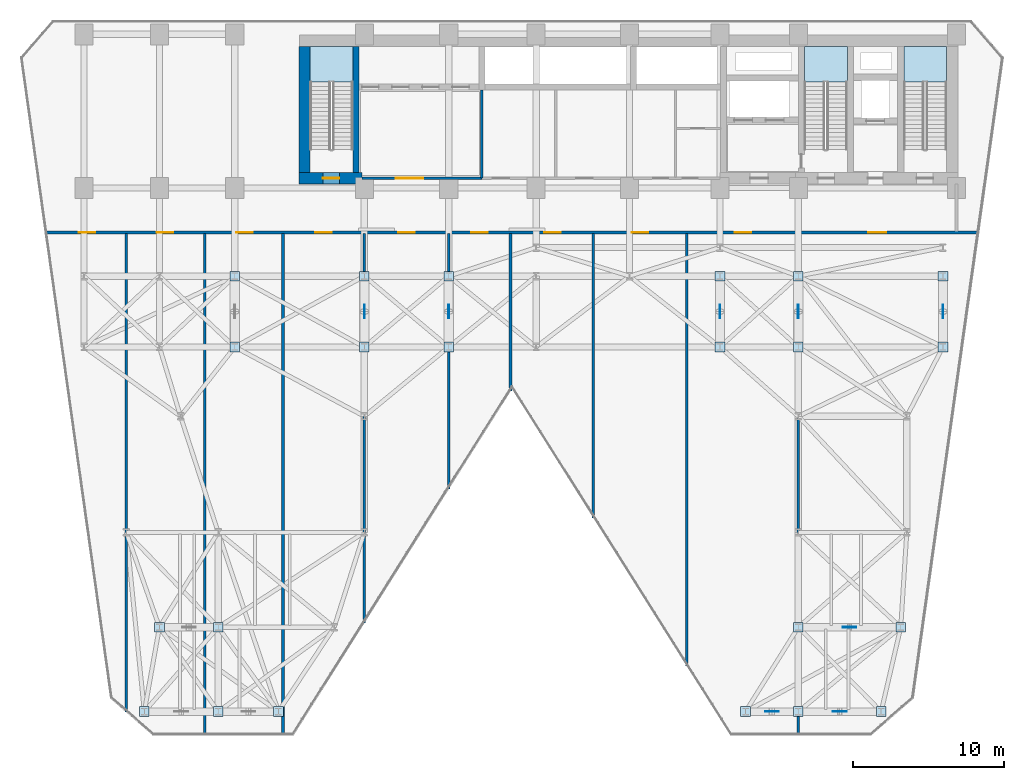
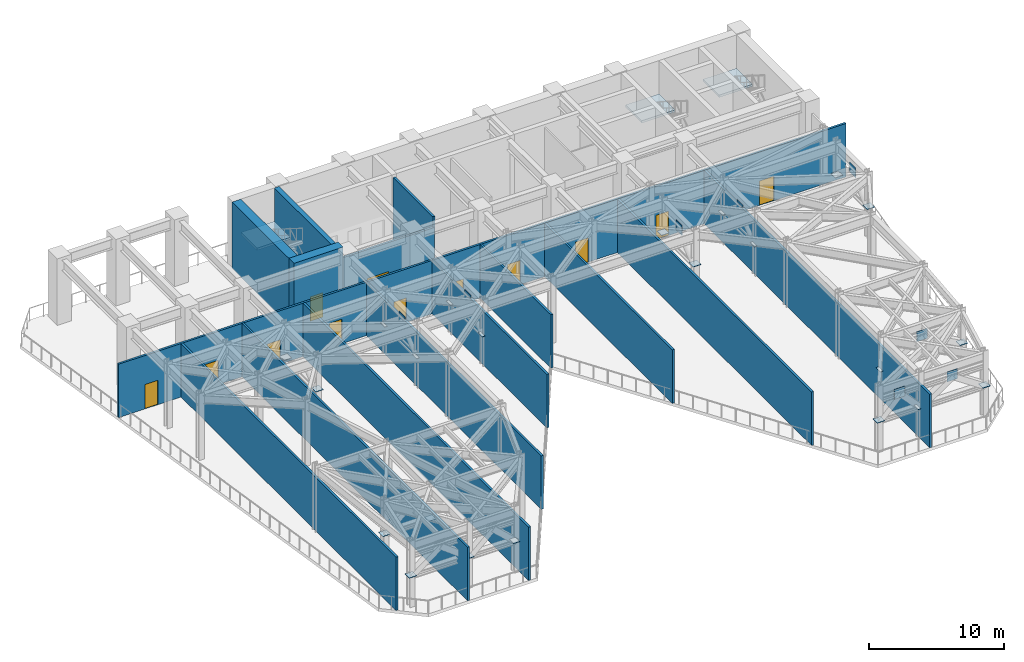
# One storey, part 6 of 12: 30 plates, 15 walls, 12 doors, 3 slabs, 12 openings, 3 elements without a shape of their own.
"""IFC4 building model written with IfcOpenShell, lengths in metres."""

from ifc_helpers import new_model, si_unit, direction, frame, frame_2d, origin, origin_2d, place, context, subcontext, project, spatial, polyline, rectangle, outline, extrude, material, layer, layer_set, type_object, element, fill, aggregate, save


model = new_model("IFC4")

# Units and contexts
model_context = context("Model", 3, precision=1e-05, world=origin(), true_north=direction((0.0, 1.0)))
body_context = subcontext(model_context, "Body", "Model", "MODEL_VIEW")
ifc_project = project(units=[si_unit("LENGTHUNIT", "METRE"), si_unit("AREAUNIT", "SQUARE_METRE"), si_unit("VOLUMEUNIT", "CUBIC_METRE"), si_unit("PLANEANGLEUNIT", "RADIAN"), si_unit("MASSUNIT", "GRAM", prefix="KILO")], contexts=[model_context])

# Site, building, storey
site_placement = place(None, origin())
site = spatial("IfcSite", under=ifc_project, at=site_placement, CompositionType="ELEMENT")
building_placement = place(site_placement, origin())
building = spatial("IfcBuilding", under=site, at=building_placement, Name="Kravanh Interchange Tower", CompositionType="ELEMENT")
storey_placement = place(building_placement, frame((0.0, 0.0, 85.5)))
storey = spatial("IfcBuildingStorey", under=building, at=storey_placement, Name="L20", CompositionType="ELEMENT", Elevation=85.5)

# Stair, slab
ifc_material_1 = material(Name="Concrete C50/60", Category="concrete")
stair_type = type_object("IfcStairType", Name="Core Fire Exit Dogleg Stair Concrete C50/60", PredefinedType="HALF_TURN_STAIR", material=ifc_material_1)
stair_1_placement = place(storey_placement, origin())
stair_1 = element("IfcStair", 1, at=stair_1_placement, inside=storey, type_object=stair_type, Name="L20 Exit Stair ST1", PredefinedType="HALF_TURN_STAIR")
ifc_material_2 = material(Name="Concrete C50/60", Category="concrete")
ifc_layer_1 = layer(ifc_material_2, 0.199951171875)
ifc_layer_set_1 = layer_set([ifc_layer_1], Name="Concrete C50/60 Stair Half-Landing Slab 200mm")
slab_type = type_object("IfcSlabType", Name="Concrete C50/60 Stair Half-Landing Slab 200mm", PredefinedType="LANDING", material=ifc_layer_set_1)
slab_1_placement = place(storey_placement, frame((0.0, 0.0, 2.800048828125)))
slab_1 = element("IfcSlab", 2, at=slab_1_placement, type_object=slab_type, Name="ST1 landing 1", PredefinedType="LANDING", context=body_context, shape_type="SweptSolid", body=[
    extrude(outline(polyline([(65.85009765625, 44.3798828125), (65.85009765625, 46.75), (63.0, 46.75), (63.0, 44.3798828125), (65.85009765625, 44.3798828125)])), origin(), (0.0, 0.0, 1.0), 0.199951171875),
])
aggregate(stair_1, [slab_1])

stair_2_placement = place(storey_placement, origin())
stair_2 = element("IfcStair", 3, at=stair_2_placement, inside=storey, type_object=stair_type, Name="L20 Exit Stair ST2", PredefinedType="HALF_TURN_STAIR")
slab_2_placement = place(storey_placement, frame((0.0, 0.0, 2.800048828125)))
slab_2 = element("IfcSlab", 4, at=slab_2_placement, type_object=slab_type, Name="ST2 landing 1", PredefinedType="LANDING", context=body_context, shape_type="SweptSolid", body=[
    extrude(outline(polyline([(59.25, 44.3798828125), (59.25, 46.75), (56.39990234375, 46.75), (56.39990234375, 44.3798828125), (59.25, 44.3798828125)])), origin(), (0.0, 0.0, 1.0), 0.199951171875),
])
aggregate(stair_2, [slab_2])

stair_3_placement = place(storey_placement, origin())
stair_3 = element("IfcStair", 5, at=stair_3_placement, inside=storey, type_object=stair_type, Name="L20 Exit Stair ST3", PredefinedType="HALF_TURN_STAIR")
slab_3_placement = place(storey_placement, frame((0.0, 0.0, 2.800048828125)))
slab_3 = element("IfcSlab", 6, at=slab_3_placement, type_object=slab_type, Name="ST3 landing 1", PredefinedType="LANDING", context=body_context, shape_type="SweptSolid", body=[
    extrude(outline(polyline([(26.449951171875, 44.3798828125), (26.449951171875, 46.75), (23.60009765625, 46.75), (23.60009765625, 44.3798828125), (26.449951171875, 44.3798828125)])), origin(), (0.0, 0.0, 1.0), 0.199951171875),
])
aggregate(stair_3, [slab_3])

# Plates
ifc_material_3 = material(Name="Structural Steel S450", Category="steel")
ifc_layer_2 = layer(ifc_material_3, 0.031982421875)
ifc_layer_set_2 = layer_set([ifc_layer_2], Name="Flange Continuity Node Plate 650x650x32 S450")
plate_type_1 = type_object("IfcPlateType", Name="Flange Continuity Node Plate 650x650x32 S450", PredefinedType="SHEET", material=ifc_layer_set_2)
for number, where, z_axis, x_axis, name in (
    (7, (18.60009765625, 31.5, 2.73388671875), (0.0, 0.0, 1.0), (1.0, 0.0, 0.0), "L20 Outrigger Node Flange Plate 1A"),
    (8, (18.60009765625, 26.800048828125, 2.73388671875), (0.0, 0.0, 1.0), (1.0, 0.0, 0.0), "L20 Outrigger Node Flange Plate 1B"),
    (9, (27.199951171875, 31.5, 2.73388671875), (0.0, 0.0, 1.0), (1.0, 0.0, 0.0), "L20 Outrigger Node Flange Plate 2A"),
    (10, (27.199951171875, 26.800048828125, 2.73388671875), (0.0, 0.0, 1.0), (1.0, 0.0, 0.0), "L20 Outrigger Node Flange Plate 2B"),
    (11, (32.800048828125, 31.5, 2.73388671875), (0.0, 0.0, 1.0), (1.0, 0.0, 0.0), "L20 Outrigger Node Flange Plate 3A"),
    (12, (32.800048828125, 26.800048828125, 2.73388671875), (0.0, 0.0, 1.0), (1.0, 0.0, 0.0), "L20 Outrigger Node Flange Plate 3B"),
    (13, (50.800048828125, 31.5, 2.73388671875), (0.0, 0.0, 1.0), (1.0, 0.0, 0.0), "L20 Outrigger Node Flange Plate 4A"),
    (14, (50.800048828125, 26.800048828125, 2.73388671875), (0.0, 0.0, 1.0), (1.0, 0.0, 0.0), "L20 Outrigger Node Flange Plate 4B"),
    (15, (56.0, 31.5, 2.73388671875), (0.0, 0.0, 1.0), (1.0, 0.0, 0.0), "L20 Outrigger Node Flange Plate 5A"),
    (16, (56.0, 26.800048828125, 2.73388671875), (0.0, 0.0, 1.0), (1.0, 0.0, 0.0), "L20 Outrigger Node Flange Plate 5B"),
    (17, (65.60009765625, 31.5, 2.73388671875), (0.0, 0.0, 1.0), (1.0, 0.0, 0.0), "L20 Outrigger Node Flange Plate 6A"),
    (18, (65.60009765625, 26.800048828125, 2.73388671875), (0.0, 0.0, 1.0), (1.0, 0.0, 0.0), "L20 Outrigger Node Flange Plate 6B"),
    (19, (12.60009765625, 2.60009765625, 2.73388671875), (0.0, 0.0, 1.0), (1.0, 0.0, 0.0), "L20 Belt Truss Node Flange Plate 1A"),
    (20, (17.5, 2.60009765625, 2.73388671875), (0.0, 0.0, 1.0), (1.0, 0.0, 0.0), "L20 Belt Truss Node Flange Plate 1B"),
    (21, (21.5, 2.60009765625, 2.73388671875), (0.0, 0.0, 1.0), (1.0, 0.0, 0.0), "L20 Belt Truss Node Flange Plate 2B"),
    (22, (52.5, 2.60009765625, 2.73388671875), (0.0, 0.0, 1.0), (1.0, 0.0, 0.0), "L20 Belt Truss Node Flange Plate 3A"),
    (23, (56.0, 2.60009765625, 2.73388671875), (0.0, 0.0, 1.0), (1.0, 0.0, 0.0), "L20 Belt Truss Node Flange Plate 3B"),
    (24, (61.5, 2.60009765625, 2.73388671875), (0.0, 0.0, 1.0), (1.0, 0.0, 0.0), "L20 Belt Truss Node Flange Plate 4B"),
    (25, (13.60009765625, 8.199951171875, 2.73388671875), (0.0, 0.0, 1.0), (1.0, 0.0, 0.0), "L20 Belt Truss Node Flange Plate 5A"),
    (26, (17.5, 8.199951171875, 2.73388671875), (0.0, 0.0, 1.0), (1.0, 0.0, 0.0), "L20 Belt Truss Node Flange Plate 5B"),
    (27, (56.0, 8.199951171875, 2.73388671875), (0.0, 0.0, 1.0), (1.0, 0.0, 0.0), "L20 Belt Truss Node Flange Plate 6A"),
    (28, (62.800048828125, 8.199951171875, 2.73388671875), (0.0, 0.0, 1.0), (1.0, 0.0, 0.0), "L20 Belt Truss Node Flange Plate 6B"),
):
    element("IfcPlate", number, at=place(storey_placement, frame(where, z_axis=z_axis, x_axis=x_axis)), inside=storey, type_object=plate_type_1, Name=name, PredefinedType="SHEET", context=body_context, shape_type="SweptSolid", body=[
        extrude(rectangle(XDim=0.64990234375, YDim=0.64990234375, at=origin_2d()), origin(), (0.0, 0.0, 1.0), 0.031982421875),
    ])
ifc_material_4 = material(Name="Structural Steel S450", Category="steel")
ifc_layer_3 = layer(ifc_material_4, 0.0400390625)
ifc_layer_set_3 = layer_set([ifc_layer_3], Name="Outrigger Gusset Plate Structural Steel S450 40mm")
plate_type_2 = type_object("IfcPlateType", Name="Outrigger Gusset Plate Structural Steel S450 40mm", PredefinedType="USERDEFINED", material=ifc_layer_set_3)
for number, where, z_axis, x_axis, name in (
    (29, (27.199951171875, 29.14990234375, 4.14794921875), (0.0, 0.0, 1.0), (0.0, -1.0, 0.0), "L20 Outrigger Node Gusset Plate 2"),
    (30, (32.800048828125, 29.14990234375, 4.14794921875), (0.0, 0.0, 1.0), (0.0, -1.0, 0.0), "L20 Outrigger Node Gusset Plate 3"),
    (31, (50.800048828125, 29.14990234375, 4.14794921875), (0.0, 0.0, 1.0), (0.0, -1.0, 0.0), "L20 Outrigger Node Gusset Plate 4"),
    (32, (56.0, 29.14990234375, 4.14794921875), (0.0, 0.0, 1.0), (0.0, -1.0, 0.0), "L20 Outrigger Node Gusset Plate 5"),
    (33, (65.60009765625, 29.14990234375, 4.14794921875), (0.0, 0.0, 1.0), (0.0, -1.0, 0.0), "L20 Outrigger Node Gusset Plate 6"),
    (34, (54.25, 2.60009765625, 4.14794921875), (0.0, 0.0, 1.0), (1.0, 0.0, 0.0), "L20 Belt Truss Node Gusset Plate 3"),
    (35, (58.75, 2.60009765625, 4.14794921875), (0.0, 0.0, 1.0), (1.0, 0.0, 0.0), "L20 Belt Truss Node Gusset Plate 4"),
    (36, (59.39990234375, 8.199951171875, 4.14794921875), (0.0, 0.0, 1.0), (1.0, 0.0, 0.0), "L20 Belt Truss Node Gusset Plate 6"),
):
    element("IfcPlate", number, at=place(storey_placement, frame(where, z_axis=z_axis, x_axis=x_axis)), inside=storey, type_object=plate_type_2, Name=name, ObjectType="GUSSET PLATE", PredefinedType="USERDEFINED", context=body_context, shape_type="SweptSolid", body=[
        extrude(rectangle(XDim=0.89990234375, YDim=0.0400390625, at=origin_2d()), origin(), (0.0, 0.0, 1.0), 0.89990234375),
    ])

# Wall
ifc_material_5 = material(Name="Concrete C80/95", Category="concrete")
ifc_layer_4 = layer(ifc_material_5, 0.39990234375)
ifc_layer_set_4 = layer_set([ifc_layer_4], Name="Core Shear Wall Concrete C80/95 400mm")
wall_type_1 = type_object("IfcWallType", Name="Core Shear Wall Concrete C80/95 400mm", PredefinedType="SHEAR", material=ifc_layer_set_4)
wall_1_placement = place(storey_placement, frame((26.64990234375, 38.375, 0.0), z_axis=(0.0, 0.0, 1.0), x_axis=(0.0, 1.0, 0.0)))
element("IfcWall", 37, at=wall_1_placement, inside=storey, type_object=wall_type_1, Name="L20 Stair ST3 East Shear Wall", PredefinedType="SHEAR", context=body_context, shape_type="SweptSolid", body=[
    extrude(rectangle(XDim=8.375, YDim=0.39990234375, at=frame_2d((4.1875, 0.0))), origin(), (0.0, 0.0, 1.0), 6.0),
])

# Wall, opening, door
ifc_material_6 = material(Name="Concrete C80/95", Category="concrete")
ifc_layer_5 = layer(ifc_material_6, 0.75)
ifc_layer_set_5 = layer_set([ifc_layer_5], Name="Core Shear Wall Concrete C80/95 750mm")
wall_type_2 = type_object("IfcWallType", Name="Core Shear Wall Concrete C80/95 750mm", PredefinedType="SHEAR", material=ifc_layer_set_5)
wall_2_placement = place(storey_placement, frame((22.85009765625, 38.0, 0.0), z_axis=(0.0, 0.0, 1.0), x_axis=(1.0, 0.0, 0.0)))
wall_2 = element("IfcWall", 38, at=wall_2_placement, inside=storey, type_object=wall_type_2, Name="L20 Stair ST3 South Shear Wall", PredefinedType="SHEAR", context=body_context, shape_type="SweptSolid", body=[
    extrude(rectangle(XDim=4.199951171875, YDim=0.75, at=frame_2d((2.10009765625, 0.0))), origin(), (0.0, 0.0, 1.0), 6.0),
])
opening_1_placement = place(wall_2_placement, frame((1.60009765625, 0.0, 0.0)))
opening_1 = element("IfcOpeningElement", 39, at=opening_1_placement, cuts=wall_2, Name="Opening D-STAIR-110", PredefinedType="OPENING", context=body_context, shape_type="SweptSolid", body=[
    extrude(rectangle(XDim=1.10009765625, YDim=2.199951171875, at=frame_2d((0.550048828125, 1.10009765625))), frame((0.0, 0.385009765625, 0.0), z_axis=(0.0, -1.0, 0.0), x_axis=(1.0, 0.0, 0.0)), (0.0, 0.0, 1.0), 0.77001953125),
])
ifc_material_7 = material(Name="Structural Steel S355", Category="steel")
door_type_1 = type_object("IfcDoorType", Name="Fire-Rated Exit Stair Door 1100x2200", OperationType="NOTDEFINED", PredefinedType="DOOR", material=ifc_material_7)
door_1_placement = place(opening_1_placement, origin())
door_1 = element("IfcDoor", 40, at=door_1_placement, inside=storey, type_object=door_type_1, Name="L20 Exit Stair ST3 Door", OperationType="SINGLE_SWING_RIGHT", OverallHeight=2.199951171875, OverallWidth=1.10009765625, PredefinedType="DOOR", context=body_context, shape_type="SweptSolid", body=[
    extrude(rectangle(XDim=1.10009765625, YDim=2.199951171875, at=frame_2d((0.550048828125, 1.10009765625))), frame((0.0, 0.02490234375, 0.0), z_axis=(0.0, -1.0, 0.0), x_axis=(1.0, 0.0, 0.0)), (0.0, 0.0, 1.0), 0.050048828125),
])
fill(opening_1, door_1)

# Walls
wall_3_placement = place(storey_placement, frame((23.22509765625, 38.375, 0.0), z_axis=(0.0, 0.0, 1.0), x_axis=(0.0, 1.0, 0.0)))
element("IfcWall", 41, at=wall_3_placement, inside=storey, type_object=wall_type_2, Name="L20 Stair ST3 West Shear Wall", PredefinedType="SHEAR", context=body_context, shape_type="SweptSolid", body=[
    extrude(rectangle(XDim=8.375, YDim=0.75, at=frame_2d((4.1875, 0.0))), origin(), (0.0, 0.0, 1.0), 6.0),
])
ifc_material_8 = material(Name="Autoclaved Aerated Concrete C30/37 Blockwork", Category="masonry")
ifc_layer_6 = layer(ifc_material_8, 0.179931640625)
ifc_layer_set_6 = layer_set([ifc_layer_6], Name="Fire-Rated Lobby and Corridor Wall Concrete C30/37 180mm")
wall_type_3 = type_object("IfcWallType", Name="Fire-Rated Lobby and Corridor Wall Concrete C30/37 180mm", PredefinedType="STANDARD", material=ifc_layer_set_6)
wall_4_placement = place(storey_placement, frame((35.0, 38.0, 0.0), z_axis=(0.0, 0.0, 1.0), x_axis=(0.0, 1.0, 0.0)))
element("IfcWall", 42, at=wall_4_placement, inside=storey, type_object=wall_type_3, Name="L20 Low-Rise Lobby East Wall 4", PredefinedType="STANDARD", context=body_context, shape_type="SweptSolid", body=[
    extrude(rectangle(XDim=5.85009765625, YDim=0.179931640625, at=frame_2d((2.925048828125, 0.0))), origin(), (0.0, 0.0, 1.0), 5.7451171875),
])

# Wall, opening, door
wall_5_placement = place(storey_placement, frame((27.050048828125, 38.0, 0.0), z_axis=(0.0, 0.0, 1.0), x_axis=(1.0, 0.0, 0.0)))
wall_5 = element("IfcWall", 43, at=wall_5_placement, inside=storey, type_object=wall_type_3, Name="L20 Low-Rise Lobby South Wall 5", PredefinedType="STANDARD", context=body_context, shape_type="SweptSolid", body=[
    extrude(rectangle(XDim=7.949951171875, YDim=0.179931640625, at=frame_2d((3.97509765625, 0.0))), origin(), (0.0, 0.0, 1.0), 4.818115234375),
])
opening_2_placement = place(wall_5_placement, frame((2.25, 0.0, 0.0)))
opening_2 = element("IfcOpeningElement", 44, at=opening_2_placement, cuts=wall_5, Name="Opening DBL-180", PredefinedType="OPENING", context=body_context, shape_type="SweptSolid", body=[
    extrude(rectangle(XDim=1.800048828125, YDim=2.199951171875, at=frame_2d((0.89990234375, 1.10009765625))), frame((0.0, 0.10009765625, 0.0), z_axis=(0.0, -1.0, 0.0), x_axis=(1.0, 0.0, 0.0)), (0.0, 0.0, 1.0), 0.199951171875),
])
ifc_material_9 = material(Name="Structural Steel S355", Category="steel")
door_type_2 = type_object("IfcDoorType", Name="Lift Lobby Double Fire Door 1800x2200", OperationType="DOUBLE_DOOR_SINGLE_SWING", PredefinedType="DOOR", material=ifc_material_9)
door_2_placement = place(opening_2_placement, origin())
door_2 = element("IfcDoor", 45, at=door_2_placement, inside=storey, type_object=door_type_2, Name="L20 Low-Rise Lift Lobby Door", OperationType="DOUBLE_DOOR_SINGLE_SWING", OverallHeight=2.199951171875, OverallWidth=1.800048828125, PredefinedType="DOOR", context=body_context, shape_type="SweptSolid", body=[
    extrude(rectangle(XDim=1.800048828125, YDim=2.199951171875, at=frame_2d((0.89990234375, 1.10009765625))), frame((0.0, 0.02490234375, 0.0), z_axis=(0.0, -1.0, 0.0), x_axis=(1.0, 0.0, 0.0)), (0.0, 0.0, 1.0), 0.050048828125),
])
fill(opening_2, door_2)

# Wall, openings, doors
wall_6_placement = place(storey_placement, frame((5.996826171875, 34.39990234375, 0.0), z_axis=(0.0, 0.0, 1.0), x_axis=(1.0, 0.0, 0.0)))
wall_6 = element("IfcWall", 46, at=wall_6_placement, inside=storey, type_object=wall_type_3, Name="L20 Interior Partition 8", PredefinedType="STANDARD", context=body_context, shape_type="SweptSolid", body=[
    extrude(rectangle(XDim=62.00634765625, YDim=0.179931640625, at=frame_2d((31.003173828125, 0.0))), origin(), (0.0, 0.0, 1.0), 4.818115234375),
])
opening_3_placement = place(wall_6_placement, frame((54.6533203125, 0.0, 0.0)))
opening_3 = element("IfcOpeningElement", 47, at=opening_3_placement, cuts=wall_6, Name="Opening D-FSAE-120", PredefinedType="OPENING", context=body_context, shape_type="SweptSolid", body=[
    extrude(rectangle(XDim=1.199951171875, YDim=2.199951171875, at=frame_2d((0.60009765625, 1.10009765625))), frame((0.0, 0.10009765625, 0.0), z_axis=(0.0, -1.0, 0.0), x_axis=(1.0, 0.0, 0.0)), (0.0, 0.0, 1.0), 0.199951171875),
])
opening_4_placement = place(wall_6_placement, frame((2.23828125, 0.0, 0.0)))
opening_4 = element("IfcOpeningElement", 48, at=opening_4_placement, cuts=wall_6, Name="Opening D-STAIR-110", PredefinedType="OPENING", context=body_context, shape_type="SweptSolid", body=[
    extrude(rectangle(XDim=1.10009765625, YDim=2.199951171875, at=frame_2d((0.550048828125, 1.10009765625))), frame((0.0, 0.10009765625, 0.0), z_axis=(0.0, -1.0, 0.0), x_axis=(1.0, 0.0, 0.0)), (0.0, 0.0, 1.0), 0.199951171875),
])
opening_5_placement = place(wall_6_placement, frame((7.41259765625, 0.0, 0.0)))
opening_5 = element("IfcOpeningElement", 49, at=opening_5_placement, cuts=wall_6, Name="Opening D-STAIR-110", PredefinedType="OPENING", context=body_context, shape_type="SweptSolid", body=[
    extrude(rectangle(XDim=1.10009765625, YDim=2.199951171875, at=frame_2d((0.550048828125, 1.10009765625))), frame((0.0, 0.10009765625, 0.0), z_axis=(0.0, -1.0, 0.0), x_axis=(1.0, 0.0, 0.0)), (0.0, 0.0, 1.0), 0.199951171875),
])
opening_6_placement = place(wall_6_placement, frame((12.69384765625, 0.0, 0.0)))
opening_6 = element("IfcOpeningElement", 50, at=opening_6_placement, cuts=wall_6, Name="Opening D-STAIR-110", PredefinedType="OPENING", context=body_context, shape_type="SweptSolid", body=[
    extrude(rectangle(XDim=1.10009765625, YDim=2.199951171875, at=frame_2d((0.550048828125, 1.10009765625))), frame((0.0, 0.10009765625, 0.0), z_axis=(0.0, -1.0, 0.0), x_axis=(1.0, 0.0, 0.0)), (0.0, 0.0, 1.0), 0.199951171875),
])
opening_7_placement = place(wall_6_placement, frame((17.953125, 0.0, 0.0)))
opening_7 = element("IfcOpeningElement", 51, at=opening_7_placement, cuts=wall_6, Name="Opening D-STAIR-110", PredefinedType="OPENING", context=body_context, shape_type="SweptSolid", body=[
    extrude(rectangle(XDim=1.10009765625, YDim=2.199951171875, at=frame_2d((0.550048828125, 1.10009765625))), frame((0.0, 0.10009765625, 0.0), z_axis=(0.0, -1.0, 0.0), x_axis=(1.0, 0.0, 0.0)), (0.0, 0.0, 1.0), 0.199951171875),
])
opening_8_placement = place(wall_6_placement, frame((23.453125, 0.0, 0.0)))
opening_8 = element("IfcOpeningElement", 52, at=opening_8_placement, cuts=wall_6, Name="Opening D-STAIR-110", PredefinedType="OPENING", context=body_context, shape_type="SweptSolid", body=[
    extrude(rectangle(XDim=1.10009765625, YDim=2.199951171875, at=frame_2d((0.550048828125, 1.10009765625))), frame((0.0, 0.10009765625, 0.0), z_axis=(0.0, -1.0, 0.0), x_axis=(1.0, 0.0, 0.0)), (0.0, 0.0, 1.0), 0.199951171875),
])
opening_9_placement = place(wall_6_placement, frame((28.30322265625, 0.0, 0.0)))
opening_9 = element("IfcOpeningElement", 53, at=opening_9_placement, cuts=wall_6, Name="Opening D-STAIR-110", PredefinedType="OPENING", context=body_context, shape_type="SweptSolid", body=[
    extrude(rectangle(XDim=1.10009765625, YDim=2.199951171875, at=frame_2d((0.550048828125, 1.10009765625))), frame((0.0, 0.10009765625, 0.0), z_axis=(0.0, -1.0, 0.0), x_axis=(1.0, 0.0, 0.0)), (0.0, 0.0, 1.0), 0.199951171875),
])
opening_10_placement = place(wall_6_placement, frame((33.1435546875, 0.0, 0.0)))
opening_10 = element("IfcOpeningElement", 54, at=opening_10_placement, cuts=wall_6, Name="Opening D-STAIR-110", PredefinedType="OPENING", context=body_context, shape_type="SweptSolid", body=[
    extrude(rectangle(XDim=1.10009765625, YDim=2.199951171875, at=frame_2d((0.550048828125, 1.10009765625))), frame((0.0, 0.10009765625, 0.0), z_axis=(0.0, -1.0, 0.0), x_axis=(1.0, 0.0, 0.0)), (0.0, 0.0, 1.0), 0.199951171875),
])
opening_11_placement = place(wall_6_placement, frame((38.953125, 0.0, 0.0)))
opening_11 = element("IfcOpeningElement", 55, at=opening_11_placement, cuts=wall_6, Name="Opening D-STAIR-110", PredefinedType="OPENING", context=body_context, shape_type="SweptSolid", body=[
    extrude(rectangle(XDim=1.10009765625, YDim=2.199951171875, at=frame_2d((0.550048828125, 1.10009765625))), frame((0.0, 0.10009765625, 0.0), z_axis=(0.0, -1.0, 0.0), x_axis=(1.0, 0.0, 0.0)), (0.0, 0.0, 1.0), 0.199951171875),
])
opening_12_placement = place(wall_6_placement, frame((45.793212890625, 0.0, 0.0)))
opening_12 = element("IfcOpeningElement", 56, at=opening_12_placement, cuts=wall_6, Name="Opening D-STAIR-110", PredefinedType="OPENING", context=body_context, shape_type="SweptSolid", body=[
    extrude(rectangle(XDim=1.10009765625, YDim=2.199951171875, at=frame_2d((0.550048828125, 1.10009765625))), frame((0.0, 0.10009765625, 0.0), z_axis=(0.0, -1.0, 0.0), x_axis=(1.0, 0.0, 0.0)), (0.0, 0.0, 1.0), 0.199951171875),
])
door_3_placement = place(opening_4_placement, origin())
door_3 = element("IfcDoor", 57, at=door_3_placement, inside=storey, type_object=door_type_1, Name="L20 Chiller Heat Exchanger Plant Room Door", OperationType="SINGLE_SWING_RIGHT", OverallHeight=2.199951171875, OverallWidth=1.10009765625, PredefinedType="DOOR", context=body_context, shape_type="SweptSolid", body=[
    extrude(rectangle(XDim=1.10009765625, YDim=2.199951171875, at=frame_2d((0.550048828125, 1.10009765625))), frame((0.0, 0.02490234375, 0.0), z_axis=(0.0, -1.0, 0.0), x_axis=(1.0, 0.0, 0.0)), (0.0, 0.0, 1.0), 0.050048828125),
])
fill(opening_4, door_3)
door_4_placement = place(opening_5_placement, origin())
door_4 = element("IfcDoor", 58, at=door_4_placement, inside=storey, type_object=door_type_1, Name="L20 Primary AHU Plant Room Door", OperationType="SINGLE_SWING_LEFT", OverallHeight=2.199951171875, OverallWidth=1.10009765625, PredefinedType="DOOR", context=body_context, shape_type="SweptSolid", body=[
    extrude(rectangle(XDim=1.10009765625, YDim=2.199951171875, at=frame_2d((0.550048828125, 1.10009765625))), frame((0.0, 0.02490234375, 0.0), z_axis=(0.0, -1.0, 0.0), x_axis=(1.0, 0.0, 0.0)), (0.0, 0.0, 1.0), 0.050048828125),
])
fill(opening_5, door_4)
door_5_placement = place(opening_6_placement, origin())
door_5 = element("IfcDoor", 59, at=door_5_placement, inside=storey, type_object=door_type_1, Name="L20 Secondary AHU Plant Room Door", OperationType="SINGLE_SWING_RIGHT", OverallHeight=2.199951171875, OverallWidth=1.10009765625, PredefinedType="DOOR", context=body_context, shape_type="SweptSolid", body=[
    extrude(rectangle(XDim=1.10009765625, YDim=2.199951171875, at=frame_2d((0.550048828125, 1.10009765625))), frame((0.0, 0.02490234375, 0.0), z_axis=(0.0, -1.0, 0.0), x_axis=(1.0, 0.0, 0.0)), (0.0, 0.0, 1.0), 0.050048828125),
])
fill(opening_6, door_5)
door_6_placement = place(opening_7_placement, origin())
door_6 = element("IfcDoor", 60, at=door_6_placement, inside=storey, type_object=door_type_1, Name="L20 Smoke Control Mechanical Plant Room Door", OperationType="SINGLE_SWING_LEFT", OverallHeight=2.199951171875, OverallWidth=1.10009765625, PredefinedType="DOOR", context=body_context, shape_type="SweptSolid", body=[
    extrude(rectangle(XDim=1.10009765625, YDim=2.199951171875, at=frame_2d((0.550048828125, 1.10009765625))), frame((0.0, 0.02490234375, 0.0), z_axis=(0.0, -1.0, 0.0), x_axis=(1.0, 0.0, 0.0)), (0.0, 0.0, 1.0), 0.050048828125),
])
fill(opening_7, door_6)
door_7_placement = place(opening_8_placement, origin())
door_7 = element("IfcDoor", 61, at=door_7_placement, inside=storey, type_object=door_type_1, Name="L20 HV Electrical Switchroom Door", OperationType="SINGLE_SWING_RIGHT", OverallHeight=2.199951171875, OverallWidth=1.10009765625, PredefinedType="DOOR", context=body_context, shape_type="SweptSolid", body=[
    extrude(rectangle(XDim=1.10009765625, YDim=2.199951171875, at=frame_2d((0.550048828125, 1.10009765625))), frame((0.0, 0.02490234375, 0.0), z_axis=(0.0, -1.0, 0.0), x_axis=(1.0, 0.0, 0.0)), (0.0, 0.0, 1.0), 0.050048828125),
])
fill(opening_8, door_7)
door_8_placement = place(opening_9_placement, origin())
door_8 = element("IfcDoor", 62, at=door_8_placement, inside=storey, type_object=door_type_1, Name="L20 Transformer Plant Room Door", OperationType="SINGLE_SWING_LEFT", OverallHeight=2.199951171875, OverallWidth=1.10009765625, PredefinedType="DOOR", context=body_context, shape_type="SweptSolid", body=[
    extrude(rectangle(XDim=1.10009765625, YDim=2.199951171875, at=frame_2d((0.550048828125, 1.10009765625))), frame((0.0, 0.02490234375, 0.0), z_axis=(0.0, -1.0, 0.0), x_axis=(1.0, 0.0, 0.0)), (0.0, 0.0, 1.0), 0.050048828125),
])
fill(opening_9, door_8)
door_9_placement = place(opening_10_placement, origin())
door_9 = element("IfcDoor", 63, at=door_9_placement, inside=storey, type_object=door_type_1, Name="L20 Emergency Generator Switchroom Door", OperationType="SINGLE_SWING_RIGHT", OverallHeight=2.199951171875, OverallWidth=1.10009765625, PredefinedType="DOOR", context=body_context, shape_type="SweptSolid", body=[
    extrude(rectangle(XDim=1.10009765625, YDim=2.199951171875, at=frame_2d((0.550048828125, 1.10009765625))), frame((0.0, 0.02490234375, 0.0), z_axis=(0.0, -1.0, 0.0), x_axis=(1.0, 0.0, 0.0)), (0.0, 0.0, 1.0), 0.050048828125),
])
fill(opening_10, door_9)
door_10_placement = place(opening_11_placement, origin())
door_10 = element("IfcDoor", 64, at=door_10_placement, inside=storey, type_object=door_type_1, Name="L20 Fire Pump Plant Room Door", OperationType="SINGLE_SWING_LEFT", OverallHeight=2.199951171875, OverallWidth=1.10009765625, PredefinedType="DOOR", context=body_context, shape_type="SweptSolid", body=[
    extrude(rectangle(XDim=1.10009765625, YDim=2.199951171875, at=frame_2d((0.550048828125, 1.10009765625))), frame((0.0, 0.02490234375, 0.0), z_axis=(0.0, -1.0, 0.0), x_axis=(1.0, 0.0, 0.0)), (0.0, 0.0, 1.0), 0.050048828125),
])
fill(opening_11, door_10)
door_11_placement = place(opening_12_placement, origin())
door_11 = element("IfcDoor", 65, at=door_11_placement, inside=storey, type_object=door_type_1, Name="L20 Booster Water Tank Room Door", OperationType="SINGLE_SWING_RIGHT", OverallHeight=2.199951171875, OverallWidth=1.10009765625, PredefinedType="DOOR", context=body_context, shape_type="SweptSolid", body=[
    extrude(rectangle(XDim=1.10009765625, YDim=2.199951171875, at=frame_2d((0.550048828125, 1.10009765625))), frame((0.0, 0.02490234375, 0.0), z_axis=(0.0, -1.0, 0.0), x_axis=(1.0, 0.0, 0.0)), (0.0, 0.0, 1.0), 0.050048828125),
])
fill(opening_12, door_11)
ifc_material_10 = material(Name="Structural Steel S355", Category="steel")
door_type_3 = type_object("IfcDoorType", Name="Fire-Rated Refuge and FSAE Door 1200x2200", OperationType="NOTDEFINED", PredefinedType="DOOR", material=ifc_material_10)
door_12_placement = place(opening_3_placement, origin())
door_12 = element("IfcDoor", 66, at=door_12_placement, inside=storey, type_object=door_type_3, Name="L20 Refuge Holding Area Exit Door", OperationType="SINGLE_SWING_LEFT", OverallHeight=2.199951171875, OverallWidth=1.199951171875, PredefinedType="DOOR", context=body_context, shape_type="SweptSolid", body=[
    extrude(rectangle(XDim=1.199951171875, YDim=2.199951171875, at=frame_2d((0.60009765625, 1.10009765625))), frame((0.0, 0.02490234375, 0.0), z_axis=(0.0, -1.0, 0.0), x_axis=(1.0, 0.0, 0.0)), (0.0, 0.0, 1.0), 0.050048828125),
])
fill(opening_3, door_12)

# Walls
wall_7_placement = place(storey_placement, frame((56.0, 1.014892578125, 0.0), z_axis=(0.0, 0.0, 1.0), x_axis=(0.0, 1.0, 0.0)))
element("IfcWall", 67, at=wall_7_placement, inside=storey, type_object=wall_type_3, Name="L20 Interior Partition 10", PredefinedType="STANDARD", context=body_context, shape_type="SweptSolid", body=[
    extrude(rectangle(XDim=33.317138671875, YDim=0.179931640625, at=frame_2d((16.65869140625, 0.0))), origin(), (0.0, 0.0, 1.0), 4.818115234375),
])
wall_8_placement = place(storey_placement, frame((11.39990234375, 2.5634765625, 0.0), z_axis=(0.0, 0.0, 1.0), x_axis=(0.0, 1.0, 0.0)))
element("IfcWall", 68, at=wall_8_placement, inside=storey, type_object=wall_type_3, Name="L20 Interior Partition 11", PredefinedType="STANDARD", context=body_context, shape_type="SweptSolid", body=[
    extrude(rectangle(XDim=31.7685546875, YDim=0.179931640625, at=frame_2d((15.88427734375, 0.0))), origin(), (0.0, 0.0, 1.0), 4.818115234375),
])
for number, where, z_axis, x_axis, name in (
    (69, (16.60009765625, 1.014892578125, 0.0), (0.0, 0.0, 1.0), (0.0, 1.0, 0.0), "L20 Interior Partition 12"),
    (70, (21.800048828125, 1.014892578125, 0.0), (0.0, 0.0, 1.0), (0.0, 1.0, 0.0), "L20 Interior Partition 13"),
):
    element("IfcWall", number, at=place(storey_placement, frame(where, z_axis=z_axis, x_axis=x_axis)), inside=storey, type_object=wall_type_3, Name=name, PredefinedType="STANDARD", context=body_context, shape_type="SweptSolid", body=[
        extrude(rectangle(XDim=33.317138671875, YDim=0.179931640625, at=frame_2d((16.65869140625, 0.0))), origin(), (0.0, 0.0, 1.0), 4.818115234375),
    ])
wall_9_placement = place(storey_placement, frame((27.199951171875, 8.4833984375, 0.0), z_axis=(0.0, 0.0, 1.0), x_axis=(0.0, 1.0, 0.0)))
element("IfcWall", 71, at=wall_9_placement, inside=storey, type_object=wall_type_3, Name="L20 Interior Partition 14", PredefinedType="STANDARD", context=body_context, shape_type="SweptSolid", body=[
    extrude(rectangle(XDim=25.8486328125, YDim=0.179931640625, at=frame_2d((12.92431640625, 0.0))), origin(), (0.0, 0.0, 1.0), 4.818115234375),
])
wall_10_placement = place(storey_placement, frame((32.800048828125, 17.3662109375, 0.0), z_axis=(0.0, 0.0, 1.0), x_axis=(0.0, 1.0, 0.0)))
element("IfcWall", 72, at=wall_10_placement, inside=storey, type_object=wall_type_3, Name="L20 Interior Partition 15", PredefinedType="STANDARD", context=body_context, shape_type="SweptSolid", body=[
    extrude(rectangle(XDim=16.9658203125, YDim=0.179931640625, at=frame_2d((8.48291015625, 0.0))), origin(), (0.0, 0.0, 1.0), 4.818115234375),
])
wall_11_placement = place(storey_placement, frame((36.89990234375, 23.869384765625, 0.0), z_axis=(0.0, 0.0, 1.0), x_axis=(0.0, 1.0, 0.0)))
element("IfcWall", 73, at=wall_11_placement, inside=storey, type_object=wall_type_3, Name="L20 Interior Partition 16", PredefinedType="STANDARD", context=body_context, shape_type="SweptSolid", body=[
    extrude(rectangle(XDim=10.462646484375, YDim=0.179931640625, at=frame_2d((5.2314453125, 0.0))), origin(), (0.0, 0.0, 1.0), 4.818115234375),
])
wall_12_placement = place(storey_placement, frame((42.39990234375, 15.462646484375, 0.0), z_axis=(0.0, 0.0, 1.0), x_axis=(0.0, 1.0, 0.0)))
element("IfcWall", 74, at=wall_12_placement, inside=storey, type_object=wall_type_3, Name="L20 Interior Partition 17", PredefinedType="STANDARD", context=body_context, shape_type="SweptSolid", body=[
    extrude(rectangle(XDim=18.869384765625, YDim=0.179931640625, at=frame_2d((9.4345703125, 0.0))), origin(), (0.0, 0.0, 1.0), 4.818115234375),
])
wall_13_placement = place(storey_placement, frame((48.60009765625, 5.628173828125, 0.0), z_axis=(0.0, 0.0, 1.0), x_axis=(0.0, 1.0, 0.0)))
element("IfcWall", 75, at=wall_13_placement, inside=storey, type_object=wall_type_3, Name="L20 Interior Partition 18", PredefinedType="STANDARD", context=body_context, shape_type="SweptSolid", body=[
    extrude(rectangle(XDim=28.703857421875, YDim=0.179931640625, at=frame_2d((14.35205078125, 0.0))), origin(), (0.0, 0.0, 1.0), 4.818115234375),
])

save(model, "model.ifc")
